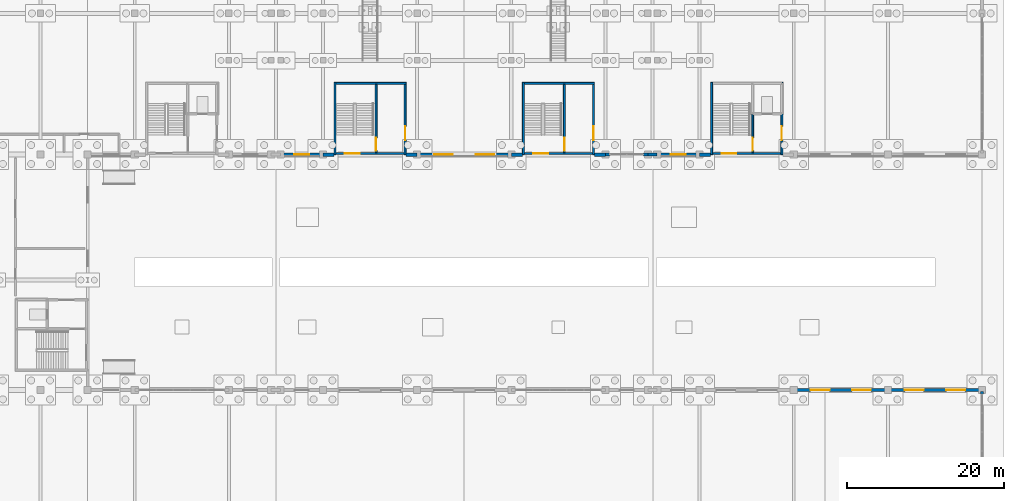
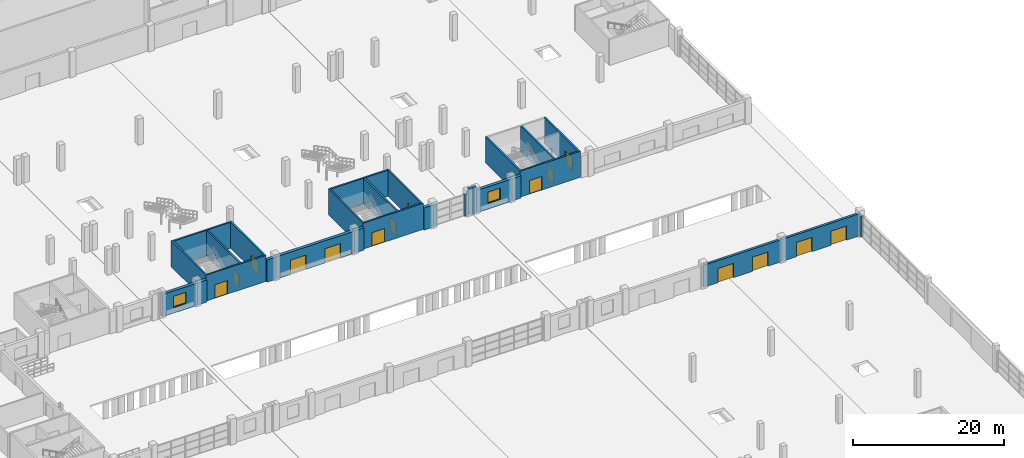
# One storey, part 61 of 77: 28 walls, 15 doors, 2 windows, 17 openings.
"""IFC4 building model written with IfcOpenShell, lengths in metres."""

from ifc_helpers import new_model, si_unit, direction, frame, frame_2d, origin, place, context, subcontext, project, spatial, rectangle, extrude, material, layer, layer_set, type_object, element, fill, save


model = new_model("IFC4")

# Units and contexts
model_context = context("Model", 3, precision=1e-05, world=origin(), true_north=direction((0.0, 1.0)))
body_context = subcontext(model_context, "Body", "Model", "MODEL_VIEW")
ifc_project = project(units=[si_unit("LENGTHUNIT", "METRE"), si_unit("AREAUNIT", "SQUARE_METRE"), si_unit("VOLUMEUNIT", "CUBIC_METRE"), si_unit("PLANEANGLEUNIT", "RADIAN"), si_unit("MASSUNIT", "GRAM", prefix="KILO")], contexts=[model_context])

# Site, building, storey
site_placement = place(None, origin())
site = spatial("IfcSite", under=ifc_project, at=site_placement, CompositionType="ELEMENT")
building_placement = place(site_placement, origin())
building = spatial("IfcBuilding", under=site, at=building_placement, Name="Zilviju Railside Exhibition Hall", CompositionType="ELEMENT")
storey_placement = place(building_placement, origin())
storey = spatial("IfcBuildingStorey", under=building, at=storey_placement, Name="L01", CompositionType="ELEMENT", Elevation=0.0)

# Walls
ifc_material_1 = material(Name="Concrete C35/45", Category="concrete")
ifc_layer_1 = layer(ifc_material_1, 0.25)
ifc_layer_set_1 = layer_set([ifc_layer_1], Name="Concrete C35/45")
wall_type_1 = type_object("IfcWallType", Name="WL-CORE-250", PredefinedType="SHEAR", material=ifc_layer_set_1)
wall_1_placement = place(storey_placement, frame((133.52490234375, 84.0, 0.0), z_axis=(0.0, 0.0, 1.0), x_axis=(0.0, 1.0, 0.0)))
element("IfcWall", 1, at=wall_1_placement, inside=storey, type_object=wall_type_1, Name="Core C05 North Hall Court MidW Stairwell Outer Wall L01", PredefinedType="SHEAR", context=body_context, shape_type="SweptSolid", body=[
    extrude(rectangle(XDim=9.199951171875, YDim=0.25, at=frame_2d((4.60009765625, 0.0))), origin(), (0.0, 0.0, 1.0), 4.199951171875),
])
wall_2_placement = place(storey_placement, frame((133.39990234375, 93.074951171875, 0.0), z_axis=(0.0, 0.0, 1.0), x_axis=(1.0, 0.0, 0.0)))
element("IfcWall", 2, at=wall_2_placement, inside=storey, type_object=wall_type_1, Name="Core C05 North Hall Court MidW Core Rear Wall L01", PredefinedType="SHEAR", context=body_context, shape_type="SweptSolid", body=[
    extrude(rectangle(XDim=9.2001953125, YDim=0.25, at=frame_2d((4.60009765625, 0.0))), origin(), (0.0, 0.0, 1.0), 4.199951171875),
])

# Wall, opening, door
wall_3_placement = place(storey_placement, frame((142.47509765625, 84.0, 0.0), z_axis=(0.0, 0.0, 1.0), x_axis=(0.0, 1.0, 0.0)))
wall_3 = element("IfcWall", 3, at=wall_3_placement, inside=storey, type_object=wall_type_1, Name="Core C05 North Hall Court MidW Lobby Side Wall L01", PredefinedType="SHEAR", context=body_context, shape_type="SweptSolid", body=[
    extrude(rectangle(XDim=9.199951171875, YDim=0.25, at=frame_2d((4.60009765625, 0.0))), origin(), (0.0, 0.0, 1.0), 4.199951171875),
])
opening_1_placement = place(wall_3_placement, frame((1.800048828125, 0.0, 0.0)))
opening_1 = element("IfcOpeningElement", 4, at=opening_1_placement, cuts=wall_3, Name="Opening FD-02", PredefinedType="OPENING", context=body_context, shape_type="SweptSolid", body=[
    extrude(rectangle(XDim=1.800048828125, YDim=2.14990234375, at=frame_2d((0.89990234375, 1.074951171875))), frame((0.0, 0.135009765625, 0.0), z_axis=(0.0, -1.0, 0.0), x_axis=(1.0, 0.0, 0.0)), (0.0, 0.0, 1.0), 0.27001953125),
])
ifc_material_2 = material(Name="Self-closing glazed steel core lobby fire door EI 60", Category="steel")
door_type_1 = type_object("IfcDoorType", Name="DR-LOBBY-180x215", OperationType="NOTDEFINED", PredefinedType="DOOR", material=ifc_material_2)
door_1_placement = place(opening_1_placement, origin())
door_1 = element("IfcDoor", 5, at=door_1_placement, inside=storey, type_object=door_type_1, Name="Core C05 North Hall Court MidW Lobby Fire Door L01", OperationType="DOUBLE_DOOR_SINGLE_SWING", OverallHeight=2.14990234375, OverallWidth=1.800048828125, PredefinedType="DOOR", context=body_context, shape_type="SweptSolid", body=[
    extrude(rectangle(XDim=1.800048828125, YDim=2.14990234375, at=frame_2d((0.89990234375, 1.074951171875))), frame((0.0, 0.02490234375, 0.0), z_axis=(0.0, -1.0, 0.0), x_axis=(1.0, 0.0, 0.0)), (0.0, 0.0, 1.0), 0.050048828125),
])
fill(opening_1, door_1)

wall_4_placement = place(storey_placement, frame((138.77490234375, 84.25, 0.0), z_axis=(0.0, 0.0, 1.0), x_axis=(0.0, 1.0, 0.0)))
wall_4 = element("IfcWall", 6, at=wall_4_placement, inside=storey, type_object=wall_type_1, Name="Core C05 North Hall Court MidW Stairwell Partition Wall L01", PredefinedType="SHEAR", context=body_context, shape_type="SweptSolid", body=[
    extrude(rectangle(XDim=8.699951171875, YDim=0.25, at=frame_2d((4.35009765625, 0.0))), origin(), (0.0, 0.0, 1.0), 4.199951171875),
])
opening_2_placement = place(wall_4_placement, frame((0.25, 0.0, 0.0)))
opening_2 = element("IfcOpeningElement", 7, at=opening_2_placement, cuts=wall_4, Name="Opening FD-01", PredefinedType="OPENING", context=body_context, shape_type="SweptSolid", body=[
    extrude(rectangle(XDim=1.64990234375, YDim=2.10009765625, at=frame_2d((0.824951171875, 1.050048828125))), frame((0.0, 0.135009765625, 0.0), z_axis=(0.0, -1.0, 0.0), x_axis=(1.0, 0.0, 0.0)), (0.0, 0.0, 1.0), 0.27001953125),
])
ifc_material_3 = material(Name="Self-closing steel stair enclosure fire door EI 60", Category="steel")
door_type_2 = type_object("IfcDoorType", Name="DR-STAIR-165x210", OperationType="NOTDEFINED", PredefinedType="DOOR", material=ifc_material_3)
door_2_placement = place(opening_2_placement, origin())
door_2 = element("IfcDoor", 8, at=door_2_placement, inside=storey, type_object=door_type_2, Name="Core C05 North Hall Court MidW Protected Stair Door L01", OperationType="SINGLE_SWING_LEFT", OverallHeight=2.10009765625, OverallWidth=1.64990234375, PredefinedType="DOOR", context=body_context, shape_type="SweptSolid", body=[
    extrude(rectangle(XDim=1.64990234375, YDim=2.10009765625, at=frame_2d((0.824951171875, 1.050048828125))), frame((0.0, 0.02490234375, 0.0), z_axis=(0.0, -1.0, 0.0), x_axis=(1.0, 0.0, 0.0)), (0.0, 0.0, 1.0), 0.050048828125),
])
fill(opening_2, door_2)

# Walls
wall_5_placement = place(storey_placement, frame((157.52490234375, 84.0, 0.0), z_axis=(0.0, 0.0, 1.0), x_axis=(0.0, 1.0, 0.0)))
element("IfcWall", 9, at=wall_5_placement, inside=storey, type_object=wall_type_1, Name="Core C06 North Hall Court MidE Stairwell Outer Wall L01", PredefinedType="SHEAR", context=body_context, shape_type="SweptSolid", body=[
    extrude(rectangle(XDim=9.199951171875, YDim=0.25, at=frame_2d((4.60009765625, 0.0))), origin(), (0.0, 0.0, 1.0), 4.199951171875),
])
wall_6_placement = place(storey_placement, frame((157.39990234375, 93.074951171875, 0.0), z_axis=(0.0, 0.0, 1.0), x_axis=(1.0, 0.0, 0.0)))
element("IfcWall", 10, at=wall_6_placement, inside=storey, type_object=wall_type_1, Name="Core C06 North Hall Court MidE Core Rear Wall L01", PredefinedType="SHEAR", context=body_context, shape_type="SweptSolid", body=[
    extrude(rectangle(XDim=9.2001953125, YDim=0.25, at=frame_2d((4.60009765625, 0.0))), origin(), (0.0, 0.0, 1.0), 4.199951171875),
])

# Wall, opening, door
wall_7_placement = place(storey_placement, frame((166.47509765625, 84.0, 0.0), z_axis=(0.0, 0.0, 1.0), x_axis=(0.0, 1.0, 0.0)))
wall_7 = element("IfcWall", 11, at=wall_7_placement, inside=storey, type_object=wall_type_1, Name="Core C06 North Hall Court MidE Lobby Side Wall L01", PredefinedType="SHEAR", context=body_context, shape_type="SweptSolid", body=[
    extrude(rectangle(XDim=9.199951171875, YDim=0.25, at=frame_2d((4.60009765625, 0.0))), origin(), (0.0, 0.0, 1.0), 4.199951171875),
])
opening_3_placement = place(wall_7_placement, frame((1.800048828125, 0.0, 0.0)))
opening_3 = element("IfcOpeningElement", 12, at=opening_3_placement, cuts=wall_7, Name="Opening FD-02", PredefinedType="OPENING", context=body_context, shape_type="SweptSolid", body=[
    extrude(rectangle(XDim=1.800048828125, YDim=2.14990234375, at=frame_2d((0.89990234375, 1.074951171875))), frame((0.0, 0.135009765625, 0.0), z_axis=(0.0, -1.0, 0.0), x_axis=(1.0, 0.0, 0.0)), (0.0, 0.0, 1.0), 0.27001953125),
])
door_3_placement = place(opening_3_placement, origin())
door_3 = element("IfcDoor", 13, at=door_3_placement, inside=storey, type_object=door_type_1, Name="Core C06 North Hall Court MidE Lobby Fire Door L01", OperationType="DOUBLE_DOOR_SINGLE_SWING", OverallHeight=2.14990234375, OverallWidth=1.800048828125, PredefinedType="DOOR", context=body_context, shape_type="SweptSolid", body=[
    extrude(rectangle(XDim=1.800048828125, YDim=2.14990234375, at=frame_2d((0.89990234375, 1.074951171875))), frame((0.0, 0.02490234375, 0.0), z_axis=(0.0, -1.0, 0.0), x_axis=(1.0, 0.0, 0.0)), (0.0, 0.0, 1.0), 0.050048828125),
])
fill(opening_3, door_3)

wall_8_placement = place(storey_placement, frame((162.77490234375, 84.25, 0.0), z_axis=(0.0, 0.0, 1.0), x_axis=(0.0, 1.0, 0.0)))
wall_8 = element("IfcWall", 14, at=wall_8_placement, inside=storey, type_object=wall_type_1, Name="Core C06 North Hall Court MidE Stairwell Partition Wall L01", PredefinedType="SHEAR", context=body_context, shape_type="SweptSolid", body=[
    extrude(rectangle(XDim=8.699951171875, YDim=0.25, at=frame_2d((4.35009765625, 0.0))), origin(), (0.0, 0.0, 1.0), 4.199951171875),
])
opening_4_placement = place(wall_8_placement, frame((0.25, 0.0, 0.0)))
opening_4 = element("IfcOpeningElement", 15, at=opening_4_placement, cuts=wall_8, Name="Opening FD-01", PredefinedType="OPENING", context=body_context, shape_type="SweptSolid", body=[
    extrude(rectangle(XDim=1.64990234375, YDim=2.10009765625, at=frame_2d((0.824951171875, 1.050048828125))), frame((0.0, 0.135009765625, 0.0), z_axis=(0.0, -1.0, 0.0), x_axis=(1.0, 0.0, 0.0)), (0.0, 0.0, 1.0), 0.27001953125),
])
door_4_placement = place(opening_4_placement, origin())
door_4 = element("IfcDoor", 16, at=door_4_placement, inside=storey, type_object=door_type_2, Name="Core C06 North Hall Court MidE Protected Stair Door L01", OperationType="SINGLE_SWING_RIGHT", OverallHeight=2.10009765625, OverallWidth=1.64990234375, PredefinedType="DOOR", context=body_context, shape_type="SweptSolid", body=[
    extrude(rectangle(XDim=1.64990234375, YDim=2.10009765625, at=frame_2d((0.824951171875, 1.050048828125))), frame((0.0, 0.02490234375, 0.0), z_axis=(0.0, -1.0, 0.0), x_axis=(1.0, 0.0, 0.0)), (0.0, 0.0, 1.0), 0.050048828125),
])
fill(opening_4, door_4)

# Wall
wall_9_placement = place(storey_placement, frame((181.52490234375, 84.0, 0.0), z_axis=(0.0, 0.0, 1.0), x_axis=(0.0, 1.0, 0.0)))
element("IfcWall", 17, at=wall_9_placement, inside=storey, type_object=wall_type_1, Name="Core C07 North Hall Court East Stairwell Outer Wall L01", PredefinedType="SHEAR", context=body_context, shape_type="SweptSolid", body=[
    extrude(rectangle(XDim=9.199951171875, YDim=0.25, at=frame_2d((4.60009765625, 0.0))), origin(), (0.0, 0.0, 1.0), 4.199951171875),
])

# Wall, opening, door
wall_10_placement = place(storey_placement, frame((190.47509765625, 84.0, 0.0), z_axis=(0.0, 0.0, 1.0), x_axis=(0.0, 1.0, 0.0)))
wall_10 = element("IfcWall", 18, at=wall_10_placement, inside=storey, type_object=wall_type_1, Name="Core C07 North Hall Court East Lobby Side Wall L01", PredefinedType="SHEAR", context=body_context, shape_type="SweptSolid", body=[
    extrude(rectangle(XDim=9.199951171875, YDim=0.25, at=frame_2d((4.60009765625, 0.0))), origin(), (0.0, 0.0, 1.0), 4.199951171875),
])
opening_5_placement = place(wall_10_placement, frame((1.800048828125, 0.0, 0.0)))
opening_5 = element("IfcOpeningElement", 19, at=opening_5_placement, cuts=wall_10, Name="Opening FD-02", PredefinedType="OPENING", context=body_context, shape_type="SweptSolid", body=[
    extrude(rectangle(XDim=1.800048828125, YDim=2.14990234375, at=frame_2d((0.89990234375, 1.074951171875))), frame((0.0, 0.135009765625, 0.0), z_axis=(0.0, -1.0, 0.0), x_axis=(1.0, 0.0, 0.0)), (0.0, 0.0, 1.0), 0.27001953125),
])
door_5_placement = place(opening_5_placement, origin())
door_5 = element("IfcDoor", 20, at=door_5_placement, inside=storey, type_object=door_type_1, Name="Core C07 North Hall Court East Lobby Fire Door L01", OperationType="DOUBLE_DOOR_SINGLE_SWING", OverallHeight=2.14990234375, OverallWidth=1.800048828125, PredefinedType="DOOR", context=body_context, shape_type="SweptSolid", body=[
    extrude(rectangle(XDim=1.800048828125, YDim=2.14990234375, at=frame_2d((0.89990234375, 1.074951171875))), frame((0.0, 0.02490234375, 0.0), z_axis=(0.0, -1.0, 0.0), x_axis=(1.0, 0.0, 0.0)), (0.0, 0.0, 1.0), 0.050048828125),
])
fill(opening_5, door_5)

wall_11_placement = place(storey_placement, frame((186.77490234375, 84.25, 0.0), z_axis=(0.0, 0.0, 1.0), x_axis=(0.0, 1.0, 0.0)))
wall_11 = element("IfcWall", 21, at=wall_11_placement, inside=storey, type_object=wall_type_1, Name="Core C07 North Hall Court East Stairwell Partition Wall L01", PredefinedType="SHEAR", context=body_context, shape_type="SweptSolid", body=[
    extrude(rectangle(XDim=8.699951171875, YDim=0.25, at=frame_2d((4.35009765625, 0.0))), origin(), (0.0, 0.0, 1.0), 4.199951171875),
])
opening_6_placement = place(wall_11_placement, frame((0.25, 0.0, 0.0)))
opening_6 = element("IfcOpeningElement", 22, at=opening_6_placement, cuts=wall_11, Name="Opening FD-01", PredefinedType="OPENING", context=body_context, shape_type="SweptSolid", body=[
    extrude(rectangle(XDim=1.64990234375, YDim=2.10009765625, at=frame_2d((0.824951171875, 1.050048828125))), frame((0.0, 0.135009765625, 0.0), z_axis=(0.0, -1.0, 0.0), x_axis=(1.0, 0.0, 0.0)), (0.0, 0.0, 1.0), 0.27001953125),
])
door_6_placement = place(opening_6_placement, origin())
door_6 = element("IfcDoor", 23, at=door_6_placement, inside=storey, type_object=door_type_2, Name="Core C07 North Hall Court East Protected Stair Door L01", OperationType="SINGLE_SWING_RIGHT", OverallHeight=2.10009765625, OverallWidth=1.64990234375, PredefinedType="DOOR", context=body_context, shape_type="SweptSolid", body=[
    extrude(rectangle(XDim=1.64990234375, YDim=2.10009765625, at=frame_2d((0.824951171875, 1.050048828125))), frame((0.0, 0.02490234375, 0.0), z_axis=(0.0, -1.0, 0.0), x_axis=(1.0, 0.0, 0.0)), (0.0, 0.0, 1.0), 0.050048828125),
])
fill(opening_6, door_6)

ifc_material_4 = material(Name="Concrete C40/50", Category="concrete")
ifc_layer_2 = layer(ifc_material_4, 0.25)
ifc_layer_set_2 = layer_set([ifc_layer_2], Name="Concrete C40/50")
wall_type_2 = type_object("IfcWallType", Name="WL-CORE-300", PredefinedType="SHEAR", material=ifc_layer_set_2)
wall_12_placement = place(storey_placement, frame((142.60009765625, 84.125, 0.0), z_axis=(0.0, 0.0, 1.0), x_axis=(-1.0, 0.0, 0.0)))
wall_12 = element("IfcWall", 24, at=wall_12_placement, inside=storey, type_object=wall_type_2, Name="Core C05 North Hall Court MidW Exterior Core Wall L01", PredefinedType="SHEAR", context=body_context, shape_type="SweptSolid", body=[
    extrude(rectangle(XDim=9.2001953125, YDim=0.25, at=frame_2d((4.60009765625, 0.0))), origin(), (0.0, 0.0, 1.0), 4.199951171875),
])
opening_7_placement = place(wall_12_placement, frame((5.89990234375, 0.0, 0.0)))
opening_7 = element("IfcOpeningElement", 25, at=opening_7_placement, cuts=wall_12, Name="Opening ED-02", PredefinedType="OPENING", context=body_context, shape_type="SweptSolid", body=[
    extrude(rectangle(XDim=1.89990234375, YDim=2.199951171875, at=frame_2d((0.949951171875, 1.10009765625))), frame((0.0, 0.135009765625, 0.0), z_axis=(0.0, -1.0, 0.0), x_axis=(1.0, 0.0, 0.0)), (0.0, 0.0, 1.0), 0.27001953125),
])
ifc_material_5 = material(Name="Insulated aluminium stair discharge door", Category="aluminium")
door_type_3 = type_object("IfcDoorType", Name="DR-EXT-EXIT-190x220", OperationType="NOTDEFINED", PredefinedType="DOOR", material=ifc_material_5)
door_7_placement = place(opening_7_placement, origin())
door_7 = element("IfcDoor", 26, at=door_7_placement, inside=storey, type_object=door_type_3, Name="Core C05 North Hall Court MidW Exit Stair Discharge Door ED-C05", OperationType="DOUBLE_DOOR_SINGLE_SWING", OverallHeight=2.199951171875, OverallWidth=1.89990234375, PredefinedType="DOOR", context=body_context, shape_type="SweptSolid", body=[
    extrude(rectangle(XDim=1.89990234375, YDim=2.199951171875, at=frame_2d((0.949951171875, 1.10009765625))), frame((0.0, 0.02490234375, 0.0), z_axis=(0.0, -1.0, 0.0), x_axis=(1.0, 0.0, 0.0)), (0.0, 0.0, 1.0), 0.050048828125),
])
fill(opening_7, door_7)

wall_13_placement = place(storey_placement, frame((166.60009765625, 84.125, 0.0), z_axis=(0.0, 0.0, 1.0), x_axis=(-1.0, 0.0, 0.0)))
wall_13 = element("IfcWall", 27, at=wall_13_placement, inside=storey, type_object=wall_type_2, Name="Core C06 North Hall Court MidE Exterior Core Wall L01", PredefinedType="SHEAR", context=body_context, shape_type="SweptSolid", body=[
    extrude(rectangle(XDim=9.2001953125, YDim=0.25, at=frame_2d((4.60009765625, 0.0))), origin(), (0.0, 0.0, 1.0), 4.199951171875),
])
opening_8_placement = place(wall_13_placement, frame((5.89990234375, 0.0, 0.0)))
opening_8 = element("IfcOpeningElement", 28, at=opening_8_placement, cuts=wall_13, Name="Opening ED-02", PredefinedType="OPENING", context=body_context, shape_type="SweptSolid", body=[
    extrude(rectangle(XDim=1.89990234375, YDim=2.199951171875, at=frame_2d((0.949951171875, 1.10009765625))), frame((0.0, 0.135009765625, 0.0), z_axis=(0.0, -1.0, 0.0), x_axis=(1.0, 0.0, 0.0)), (0.0, 0.0, 1.0), 0.27001953125),
])
door_8_placement = place(opening_8_placement, origin())
door_8 = element("IfcDoor", 29, at=door_8_placement, inside=storey, type_object=door_type_3, Name="Core C06 North Hall Court MidE Exit Stair Discharge Door ED-C06", OperationType="DOUBLE_DOOR_SINGLE_SWING", OverallHeight=2.199951171875, OverallWidth=1.89990234375, PredefinedType="DOOR", context=body_context, shape_type="SweptSolid", body=[
    extrude(rectangle(XDim=1.89990234375, YDim=2.199951171875, at=frame_2d((0.949951171875, 1.10009765625))), frame((0.0, 0.02490234375, 0.0), z_axis=(0.0, -1.0, 0.0), x_axis=(1.0, 0.0, 0.0)), (0.0, 0.0, 1.0), 0.050048828125),
])
fill(opening_8, door_8)

wall_14_placement = place(storey_placement, frame((190.60009765625, 84.125, 0.0), z_axis=(0.0, 0.0, 1.0), x_axis=(-1.0, 0.0, 0.0)))
wall_14 = element("IfcWall", 30, at=wall_14_placement, inside=storey, type_object=wall_type_2, Name="Core C07 North Hall Court East Exterior Core Wall L01", PredefinedType="SHEAR", context=body_context, shape_type="SweptSolid", body=[
    extrude(rectangle(XDim=9.2001953125, YDim=0.25, at=frame_2d((4.60009765625, 0.0))), origin(), (0.0, 0.0, 1.0), 4.199951171875),
])
opening_9_placement = place(wall_14_placement, frame((5.89990234375, 0.0, 0.0)))
opening_9 = element("IfcOpeningElement", 31, at=opening_9_placement, cuts=wall_14, Name="Opening ED-02", PredefinedType="OPENING", context=body_context, shape_type="SweptSolid", body=[
    extrude(rectangle(XDim=1.89990234375, YDim=2.199951171875, at=frame_2d((0.949951171875, 1.10009765625))), frame((0.0, 0.135009765625, 0.0), z_axis=(0.0, -1.0, 0.0), x_axis=(1.0, 0.0, 0.0)), (0.0, 0.0, 1.0), 0.27001953125),
])
door_9_placement = place(opening_9_placement, origin())
door_9 = element("IfcDoor", 32, at=door_9_placement, inside=storey, type_object=door_type_3, Name="Core C07 North Hall Court East Exit Stair Discharge Door ED-C07", OperationType="DOUBLE_DOOR_SINGLE_SWING", OverallHeight=2.199951171875, OverallWidth=1.89990234375, PredefinedType="DOOR", context=body_context, shape_type="SweptSolid", body=[
    extrude(rectangle(XDim=1.89990234375, YDim=2.199951171875, at=frame_2d((0.949951171875, 1.10009765625))), frame((0.0, 0.02490234375, 0.0), z_axis=(0.0, -1.0, 0.0), x_axis=(1.0, 0.0, 0.0)), (0.0, 0.0, 1.0), 0.050048828125),
])
fill(opening_9, door_9)

# Wall, openings, doors
ifc_material_6 = material(Name="Insulated courtyard masonry wall", Category="masonry")
ifc_layer_3 = layer(ifc_material_6, 0.360107421875)
ifc_layer_set_3 = layer_set([ifc_layer_3], Name="Insulated courtyard masonry wall")
wall_type_3 = type_object("IfcWallType", Name="WL-EXT-360", PredefinedType="SOLIDWALL", material=ifc_layer_set_3)
wall_15_placement = place(storey_placement, frame((192.0, 54.0, 0.0), z_axis=(0.0, 0.0, 1.0), x_axis=(1.0, 0.0, 0.0)))
wall_15 = element("IfcWall", 33, at=wall_15_placement, inside=storey, type_object=wall_type_3, Name="Exterior Facade Wall L01 North 0030", PredefinedType="SOLIDWALL", context=body_context, shape_type="SweptSolid", body=[
    extrude(rectangle(XDim=12.0, YDim=0.360107421875, at=frame_2d((6.0, 0.0))), origin(), (0.0, 0.0, 1.0), 3.580078125),
])
opening_10_placement = place(wall_15_placement, frame((2.159912109375, 0.0, 0.0)))
opening_10 = element("IfcOpeningElement", 34, at=opening_10_placement, cuts=wall_15, Name="Opening ED-05", PredefinedType="OPENING", context=body_context, shape_type="SweptSolid", body=[
    extrude(rectangle(XDim=2.39990234375, YDim=2.300048828125, at=frame_2d((1.199951171875, 1.14990234375))), frame((0.0, 0.18994140625, 0.0), z_axis=(0.0, -1.0, 0.0), x_axis=(1.0, 0.0, 0.0)), (0.0, 0.0, 1.0), 0.380126953125),
])
opening_11_placement = place(wall_15_placement, frame((7.43994140625, 0.0, 0.0)))
opening_11 = element("IfcOpeningElement", 35, at=opening_11_placement, cuts=wall_15, Name="Opening ED-05", PredefinedType="OPENING", context=body_context, shape_type="SweptSolid", body=[
    extrude(rectangle(XDim=2.39990234375, YDim=2.300048828125, at=frame_2d((1.199951171875, 1.14990234375))), frame((0.0, 0.18994140625, 0.0), z_axis=(0.0, -1.0, 0.0), x_axis=(1.0, 0.0, 0.0)), (0.0, 0.0, 1.0), 0.380126953125),
])
ifc_material_7 = material(Name="Insulated bronze-clad exhibition hall double exit door", Category="steel")
door_type_4 = type_object("IfcDoorType", Name="DR-EXT-EXIT-240x230", OperationType="NOTDEFINED", PredefinedType="DOOR", material=ifc_material_7)
door_10_placement = place(opening_10_placement, origin())
door_10 = element("IfcDoor", 36, at=door_10_placement, inside=storey, type_object=door_type_4, Name="Pedestrian Final Exit Door ED-019", OperationType="DOUBLE_DOOR_SINGLE_SWING", OverallHeight=2.300048828125, OverallWidth=2.39990234375, PredefinedType="DOOR", context=body_context, shape_type="SweptSolid", body=[
    extrude(rectangle(XDim=2.39990234375, YDim=2.300048828125, at=frame_2d((1.199951171875, 1.14990234375))), frame((0.0, 0.02490234375, 0.0), z_axis=(0.0, -1.0, 0.0), x_axis=(1.0, 0.0, 0.0)), (0.0, 0.0, 1.0), 0.050048828125),
])
fill(opening_10, door_10)
door_11_placement = place(opening_11_placement, origin())
door_11 = element("IfcDoor", 37, at=door_11_placement, inside=storey, type_object=door_type_4, Name="Pedestrian Final Exit Door ED-020", OperationType="DOUBLE_DOOR_SINGLE_SWING", OverallHeight=2.300048828125, OverallWidth=2.39990234375, PredefinedType="DOOR", context=body_context, shape_type="SweptSolid", body=[
    extrude(rectangle(XDim=2.39990234375, YDim=2.300048828125, at=frame_2d((1.199951171875, 1.14990234375))), frame((0.0, 0.02490234375, 0.0), z_axis=(0.0, -1.0, 0.0), x_axis=(1.0, 0.0, 0.0)), (0.0, 0.0, 1.0), 0.050048828125),
])
fill(opening_11, door_11)

wall_16_placement = place(storey_placement, frame((204.0, 54.0, 0.0), z_axis=(0.0, 0.0, 1.0), x_axis=(1.0, 0.0, 0.0)))
wall_16 = element("IfcWall", 38, at=wall_16_placement, inside=storey, type_object=wall_type_3, Name="Exterior Facade Wall L01 North 0031", PredefinedType="SOLIDWALL", context=body_context, shape_type="SweptSolid", body=[
    extrude(rectangle(XDim=12.0, YDim=0.360107421875, at=frame_2d((6.0, 0.0))), origin(), (0.0, 0.0, 1.0), 3.580078125),
])
opening_12_placement = place(wall_16_placement, frame((2.159912109375, 0.0, 0.0)))
opening_12 = element("IfcOpeningElement", 39, at=opening_12_placement, cuts=wall_16, Name="Opening ED-05", PredefinedType="OPENING", context=body_context, shape_type="SweptSolid", body=[
    extrude(rectangle(XDim=2.39990234375, YDim=2.300048828125, at=frame_2d((1.199951171875, 1.14990234375))), frame((0.0, 0.18994140625, 0.0), z_axis=(0.0, -1.0, 0.0), x_axis=(1.0, 0.0, 0.0)), (0.0, 0.0, 1.0), 0.380126953125),
])
opening_13_placement = place(wall_16_placement, frame((7.43994140625, 0.0, 0.0)))
opening_13 = element("IfcOpeningElement", 40, at=opening_13_placement, cuts=wall_16, Name="Opening ED-05", PredefinedType="OPENING", context=body_context, shape_type="SweptSolid", body=[
    extrude(rectangle(XDim=2.39990234375, YDim=2.300048828125, at=frame_2d((1.199951171875, 1.14990234375))), frame((0.0, 0.18994140625, 0.0), z_axis=(0.0, -1.0, 0.0), x_axis=(1.0, 0.0, 0.0)), (0.0, 0.0, 1.0), 0.380126953125),
])
door_12_placement = place(opening_12_placement, origin())
door_12 = element("IfcDoor", 41, at=door_12_placement, inside=storey, type_object=door_type_4, Name="Pedestrian Final Exit Door ED-021", OperationType="DOUBLE_DOOR_SINGLE_SWING", OverallHeight=2.300048828125, OverallWidth=2.39990234375, PredefinedType="DOOR", context=body_context, shape_type="SweptSolid", body=[
    extrude(rectangle(XDim=2.39990234375, YDim=2.300048828125, at=frame_2d((1.199951171875, 1.14990234375))), frame((0.0, 0.02490234375, 0.0), z_axis=(0.0, -1.0, 0.0), x_axis=(1.0, 0.0, 0.0)), (0.0, 0.0, 1.0), 0.050048828125),
])
fill(opening_12, door_12)
door_13_placement = place(opening_13_placement, origin())
door_13 = element("IfcDoor", 42, at=door_13_placement, inside=storey, type_object=door_type_4, Name="Pedestrian Final Exit Door ED-022", OperationType="DOUBLE_DOOR_SINGLE_SWING", OverallHeight=2.300048828125, OverallWidth=2.39990234375, PredefinedType="DOOR", context=body_context, shape_type="SweptSolid", body=[
    extrude(rectangle(XDim=2.39990234375, YDim=2.300048828125, at=frame_2d((1.199951171875, 1.14990234375))), frame((0.0, 0.02490234375, 0.0), z_axis=(0.0, -1.0, 0.0), x_axis=(1.0, 0.0, 0.0)), (0.0, 0.0, 1.0), 0.050048828125),
])
fill(opening_13, door_13)

# Walls
ifc_material_8 = material(Name="Insulated cream-brick upper facade wall", Category="masonry")
ifc_layer_4 = layer(ifc_material_8, 0.3798828125)
ifc_layer_set_4 = layer_set([ifc_layer_4], Name="Insulated cream-brick upper facade wall")
wall_type_4 = type_object("IfcWallType", Name="WL-EXT-380", PredefinedType="SOLIDWALL", material=ifc_layer_set_4)
wall_17_placement = place(storey_placement, frame((216.0, 53.818115234375, 0.0), z_axis=(0.0, 0.0, 1.0), x_axis=(0.0, -1.0, 0.0)))
element("IfcWall", 43, at=wall_17_placement, inside=storey, type_object=wall_type_4, Name="Curtain-Wall Jamb Closure Pier L01 0036", PredefinedType="SOLIDWALL", context=body_context, shape_type="SweptSolid", body=[
    extrude(rectangle(XDim=0.3681640625, YDim=0.3798828125, at=frame_2d((0.18408203125, 0.0))), origin(), (0.0, 0.0, 1.0), 3.3701171875),
])
wall_18_placement = place(storey_placement, frame((168.550048828125, 84.0, 0.0), z_axis=(0.0, 0.0, 1.0), x_axis=(-1.0, 0.0, 0.0)))
element("IfcWall", 44, at=wall_18_placement, inside=storey, type_object=wall_type_4, Name="Curtain-Wall Jamb Closure Pier L01 0169", PredefinedType="SOLIDWALL", context=body_context, shape_type="SweptSolid", body=[
    extrude(rectangle(XDim=0.548095703125, YDim=0.3798828125, at=frame_2d((0.27392578125, 0.0))), origin(), (0.0, 0.0, 1.0), 3.449951171875),
])
wall_19_placement = place(storey_placement, frame((173.39794921875, 84.0, 0.0), z_axis=(0.0, 0.0, 1.0), x_axis=(-1.0, 0.0, 0.0)))
element("IfcWall", 45, at=wall_19_placement, inside=storey, type_object=wall_type_4, Name="Curtain-Wall Jamb Closure Pier L01 0170", PredefinedType="SOLIDWALL", context=body_context, shape_type="SweptSolid", body=[
    extrude(rectangle(XDim=0.5478515625, YDim=0.3798828125, at=frame_2d((0.27392578125, 0.0))), origin(), (0.0, 0.0, 1.0), 3.449951171875),
])
wall_20_placement = place(storey_placement, frame((174.60009765625, 84.0, 0.0), z_axis=(0.0, 0.0, 1.0), x_axis=(-1.0, 0.0, 0.0)))
element("IfcWall", 46, at=wall_20_placement, inside=storey, type_object=wall_type_4, Name="Exterior Facade Wall L01 South 0604", PredefinedType="SOLIDWALL", context=body_context, shape_type="SweptSolid", body=[
    extrude(rectangle(XDim=1.2001953125, YDim=0.3798828125, at=frame_2d((0.60009765625, 0.0))), origin(), (0.0, 0.0, 1.0), 4.199951171875),
])

# Wall, opening, window
ifc_material_9 = material(Name="Insulated Staburags travertine masonry wall", Category="masonry")
ifc_layer_5 = layer(ifc_material_9, 0.449951171875)
ifc_layer_set_5 = layer_set([ifc_layer_5], Name="Insulated Staburags travertine masonry wall")
wall_type_5 = type_object("IfcWallType", Name="WL-EXT-450", PredefinedType="SOLIDWALL", material=ifc_layer_set_5)
wall_21_placement = place(storey_placement, frame((132.0, 84.0, 0.0), z_axis=(0.0, 0.0, 1.0), x_axis=(-1.0, 0.0, 0.0)))
wall_21 = element("IfcWall", 47, at=wall_21_placement, inside=storey, type_object=wall_type_5, Name="Exterior Facade Wall L01 South 0163", PredefinedType="SOLIDWALL", context=body_context, shape_type="SweptSolid", body=[
    extrude(rectangle(XDim=5.39990234375, YDim=0.449951171875, at=frame_2d((2.699951171875, 0.0))), origin(), (0.0, 0.0, 1.0), 3.580078125),
])
opening_14_placement = place(wall_21_placement, frame((1.75, 0.0, 0.89990234375)))
opening_14 = element("IfcOpeningElement", 48, at=opening_14_placement, cuts=wall_21, Name="Opening WN-19", PredefinedType="OPENING", context=body_context, shape_type="SweptSolid", body=[
    extrude(rectangle(XDim=1.89990234375, YDim=1.800048828125, at=frame_2d((0.949951171875, 0.89990234375))), frame((0.0, 0.23486328125, 0.0), z_axis=(0.0, -1.0, 0.0), x_axis=(1.0, 0.0, 0.0)), (0.0, 0.0, 1.0), 0.469970703125),
])
ifc_material_10 = material(Name="Triple-glazed timber-aluminium window unit", Category="wood")
window_type = type_object("IfcWindowType", Name="WIN-JUG-190x180", PartitioningType="DOUBLE_PANEL_VERTICAL", PredefinedType="WINDOW", material=ifc_material_10)
window_1_placement = place(opening_14_placement, origin())
window_1 = element("IfcWindow", 49, at=window_1_placement, inside=storey, type_object=window_type, Name="Facade Window L01 WN-0013", OverallHeight=1.800048828125, OverallWidth=1.89990234375, PartitioningType="SINGLE_PANEL", PredefinedType="WINDOW", context=body_context, shape_type="SweptSolid", body=[
    extrude(rectangle(XDim=1.89990234375, YDim=1.800048828125, at=frame_2d((0.949951171875, 0.89990234375))), frame((0.0, 0.030029296875, 0.0), z_axis=(0.0, -1.0, 0.0), x_axis=(1.0, 0.0, 0.0)), (0.0, 0.0, 1.0), 0.06005859375),
])
fill(opening_14, window_1)

# Walls
for number, where, z_axis, x_axis, name in (
    (50, (133.39990234375, 84.0, 0.0), (0.0, 0.0, 1.0), (-1.0, 0.0, 0.0), "Exterior Facade Wall L01 South 0164"),
    (51, (144.0, 84.0, 0.0), (0.0, 0.0, 1.0), (-1.0, 0.0, 0.0), "Exterior Facade Wall L01 South 0165"),
):
    element("IfcWall", number, at=place(storey_placement, frame(where, z_axis=z_axis, x_axis=x_axis)), inside=storey, type_object=wall_type_5, Name=name, PredefinedType="SOLIDWALL", context=body_context, shape_type="SweptSolid", body=[
        extrude(rectangle(XDim=1.39990234375, YDim=0.449951171875, at=frame_2d((0.699951171875, 0.0))), origin(), (0.0, 0.0, 1.0), 3.580078125),
    ])

# Wall, openings, doors
wall_22_placement = place(storey_placement, frame((156.0, 84.0, 0.0), z_axis=(0.0, 0.0, 1.0), x_axis=(-1.0, 0.0, 0.0)))
wall_22 = element("IfcWall", 52, at=wall_22_placement, inside=storey, type_object=wall_type_5, Name="Exterior Facade Wall L01 South 0166", PredefinedType="SOLIDWALL", context=body_context, shape_type="SweptSolid", body=[
    extrude(rectangle(XDim=12.0, YDim=0.449951171875, at=frame_2d((6.0, 0.0))), origin(), (0.0, 0.0, 1.0), 3.580078125),
])
opening_15_placement = place(wall_22_placement, frame((2.159912109375, 0.0, 0.0)))
opening_15 = element("IfcOpeningElement", 53, at=opening_15_placement, cuts=wall_22, Name="Opening ED-05", PredefinedType="OPENING", context=body_context, shape_type="SweptSolid", body=[
    extrude(rectangle(XDim=2.39990234375, YDim=2.300048828125, at=frame_2d((1.199951171875, 1.14990234375))), frame((0.0, 0.23486328125, 0.0), z_axis=(0.0, -1.0, 0.0), x_axis=(1.0, 0.0, 0.0)), (0.0, 0.0, 1.0), 0.469970703125),
])
opening_16_placement = place(wall_22_placement, frame((7.43994140625, 0.0, 0.0)))
opening_16 = element("IfcOpeningElement", 54, at=opening_16_placement, cuts=wall_22, Name="Opening ED-05", PredefinedType="OPENING", context=body_context, shape_type="SweptSolid", body=[
    extrude(rectangle(XDim=2.39990234375, YDim=2.300048828125, at=frame_2d((1.199951171875, 1.14990234375))), frame((0.0, 0.23486328125, 0.0), z_axis=(0.0, -1.0, 0.0), x_axis=(1.0, 0.0, 0.0)), (0.0, 0.0, 1.0), 0.469970703125),
])
door_14_placement = place(opening_15_placement, origin())
door_14 = element("IfcDoor", 55, at=door_14_placement, inside=storey, type_object=door_type_4, Name="Pedestrian Final Exit Door ED-024", OperationType="DOUBLE_DOOR_SINGLE_SWING", OverallHeight=2.300048828125, OverallWidth=2.39990234375, PredefinedType="DOOR", context=body_context, shape_type="SweptSolid", body=[
    extrude(rectangle(XDim=2.39990234375, YDim=2.300048828125, at=frame_2d((1.199951171875, 1.14990234375))), frame((0.0, 0.02490234375, 0.0), z_axis=(0.0, -1.0, 0.0), x_axis=(1.0, 0.0, 0.0)), (0.0, 0.0, 1.0), 0.050048828125),
])
fill(opening_15, door_14)
door_15_placement = place(opening_16_placement, origin())
door_15 = element("IfcDoor", 56, at=door_15_placement, inside=storey, type_object=door_type_4, Name="Pedestrian Final Exit Door ED-025", OperationType="DOUBLE_DOOR_SINGLE_SWING", OverallHeight=2.300048828125, OverallWidth=2.39990234375, PredefinedType="DOOR", context=body_context, shape_type="SweptSolid", body=[
    extrude(rectangle(XDim=2.39990234375, YDim=2.300048828125, at=frame_2d((1.199951171875, 1.14990234375))), frame((0.0, 0.02490234375, 0.0), z_axis=(0.0, -1.0, 0.0), x_axis=(1.0, 0.0, 0.0)), (0.0, 0.0, 1.0), 0.050048828125),
])
fill(opening_16, door_15)

# Walls
for number, where, z_axis, x_axis, name in (
    (57, (157.39990234375, 84.0, 0.0), (0.0, 0.0, 1.0), (-1.0, 0.0, 0.0), "Exterior Facade Wall L01 South 0167"),
    (58, (168.0, 84.0, 0.0), (0.0, 0.0, 1.0), (-1.0, 0.0, 0.0), "Exterior Facade Wall L01 South 0168"),
):
    element("IfcWall", number, at=place(storey_placement, frame(where, z_axis=z_axis, x_axis=x_axis)), inside=storey, type_object=wall_type_5, Name=name, PredefinedType="SOLIDWALL", context=body_context, shape_type="SweptSolid", body=[
        extrude(rectangle(XDim=1.39990234375, YDim=0.449951171875, at=frame_2d((0.699951171875, 0.0))), origin(), (0.0, 0.0, 1.0), 3.580078125),
    ])

# Wall, opening, window
wall_23_placement = place(storey_placement, frame((180.0, 84.0, 0.0), z_axis=(0.0, 0.0, 1.0), x_axis=(-1.0, 0.0, 0.0)))
wall_23 = element("IfcWall", 59, at=wall_23_placement, inside=storey, type_object=wall_type_5, Name="Exterior Facade Wall L01 South 0171", PredefinedType="SOLIDWALL", context=body_context, shape_type="SweptSolid", body=[
    extrude(rectangle(XDim=5.39990234375, YDim=0.449951171875, at=frame_2d((2.699951171875, 0.0))), origin(), (0.0, 0.0, 1.0), 3.580078125),
])
opening_17_placement = place(wall_23_placement, frame((1.75, 0.0, 0.89990234375)))
opening_17 = element("IfcOpeningElement", 60, at=opening_17_placement, cuts=wall_23, Name="Opening WN-19", PredefinedType="OPENING", context=body_context, shape_type="SweptSolid", body=[
    extrude(rectangle(XDim=1.89990234375, YDim=1.800048828125, at=frame_2d((0.949951171875, 0.89990234375))), frame((0.0, 0.23486328125, 0.0), z_axis=(0.0, -1.0, 0.0), x_axis=(1.0, 0.0, 0.0)), (0.0, 0.0, 1.0), 0.469970703125),
])
window_2_placement = place(opening_17_placement, origin())
window_2 = element("IfcWindow", 61, at=window_2_placement, inside=storey, type_object=window_type, Name="Facade Window L01 WN-0014", OverallHeight=1.800048828125, OverallWidth=1.89990234375, PartitioningType="SINGLE_PANEL", PredefinedType="WINDOW", context=body_context, shape_type="SweptSolid", body=[
    extrude(rectangle(XDim=1.89990234375, YDim=1.800048828125, at=frame_2d((0.949951171875, 0.89990234375))), frame((0.0, 0.030029296875, 0.0), z_axis=(0.0, -1.0, 0.0), x_axis=(1.0, 0.0, 0.0)), (0.0, 0.0, 1.0), 0.06005859375),
])
fill(opening_17, window_2)

# Wall
wall_24_placement = place(storey_placement, frame((181.39990234375, 84.0, 0.0), z_axis=(0.0, 0.0, 1.0), x_axis=(-1.0, 0.0, 0.0)))
element("IfcWall", 62, at=wall_24_placement, inside=storey, type_object=wall_type_5, Name="Exterior Facade Wall L01 South 0172", PredefinedType="SOLIDWALL", context=body_context, shape_type="SweptSolid", body=[
    extrude(rectangle(XDim=1.39990234375, YDim=0.449951171875, at=frame_2d((0.699951171875, 0.0))), origin(), (0.0, 0.0, 1.0), 3.580078125),
])

save(model, "model.ifc")
